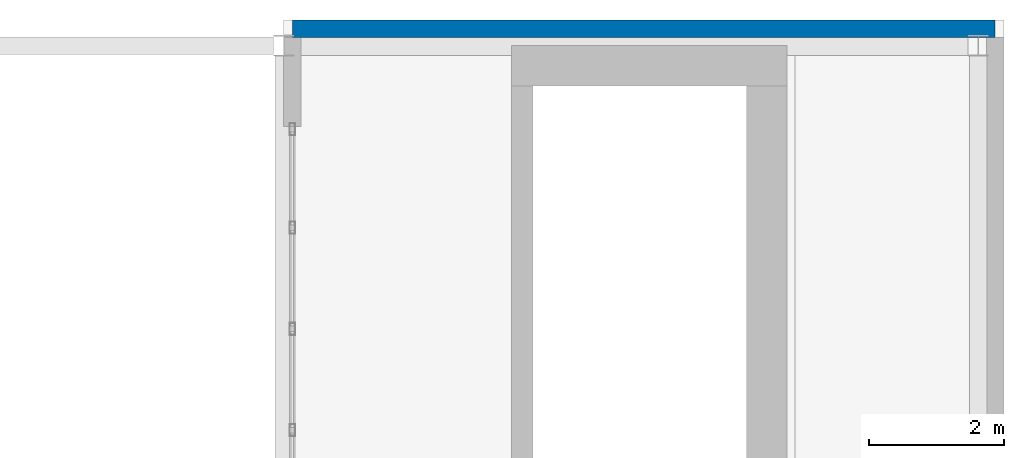
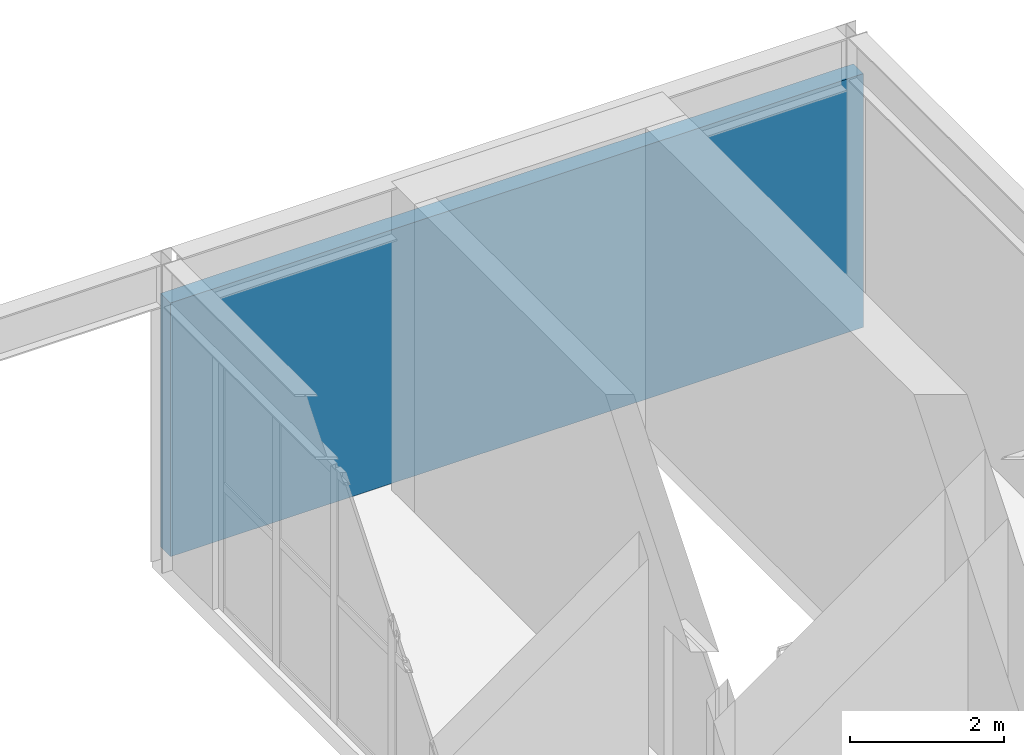
# One storey, part 8 of 9: 1 wall.
"""IFC4 building model written with IfcOpenShell, lengths in metres."""

from ifc_helpers import new_model, si_unit, direction, frame, frame_2d, origin, place, context, subcontext, project, spatial, rectangle, extrude, material, layer, layer_set, type_object, element, save


model = new_model("IFC4")

# Units and contexts
model_context = context("Model", 3, precision=1e-05, world=origin(), true_north=direction((0.0, 1.0)))
body_context = subcontext(model_context, "Body", "Model", "MODEL_VIEW")
ifc_project = project(units=[si_unit("LENGTHUNIT", "METRE"), si_unit("AREAUNIT", "SQUARE_METRE"), si_unit("VOLUMEUNIT", "CUBIC_METRE"), si_unit("PLANEANGLEUNIT", "RADIAN"), si_unit("MASSUNIT", "GRAM", prefix="KILO")], contexts=[model_context])

# Site, building, storey
site_placement = place(None, origin())
site = spatial("IfcSite", under=ifc_project, at=site_placement, CompositionType="ELEMENT")
building_placement = place(site_placement, origin())
building = spatial("IfcBuilding", under=site, at=building_placement, Name="Solanera Arch Residences", CompositionType="ELEMENT")
storey_placement = place(building_placement, frame((0.0, 0.0, 297.679931640625)))
storey = spatial("IfcBuildingStorey", under=building, at=storey_placement, Name="L84", CompositionType="ELEMENT", Elevation=297.679931640625)

# Wall
ifc_material = material(Name="Precast Concrete C35/45", Category="concrete")
ifc_layer = layer(ifc_material, 0.260009765625)
ifc_layer_set = layer_set([ifc_layer], Name="Precast Concrete C35/45")
wall_type = type_object("IfcWallType", Name="Exterior Wall Precast Masonry-Frame 260", PredefinedType="STANDARD", material=ifc_layer_set)
wall_placement = place(storey_placement, frame((29.330078125, 39.64990234375, 0.0), z_axis=(0.0, 0.0, 1.0), x_axis=(1.0, 0.0, 0.0)))
element("IfcWall", 1, at=wall_placement, inside=storey, type_object=wall_type, Name="L84 E Crown Peak North Precast Wall", PredefinedType="STANDARD", context=body_context, shape_type="SweptSolid", body=[
    extrude(rectangle(XDim=10.419921875, YDim=0.260009765625, at=frame_2d((5.2099609375, 0.0))), origin(), (0.0, 0.0, 1.0), 4.0341796875),
])

save(model, "model.ifc")
